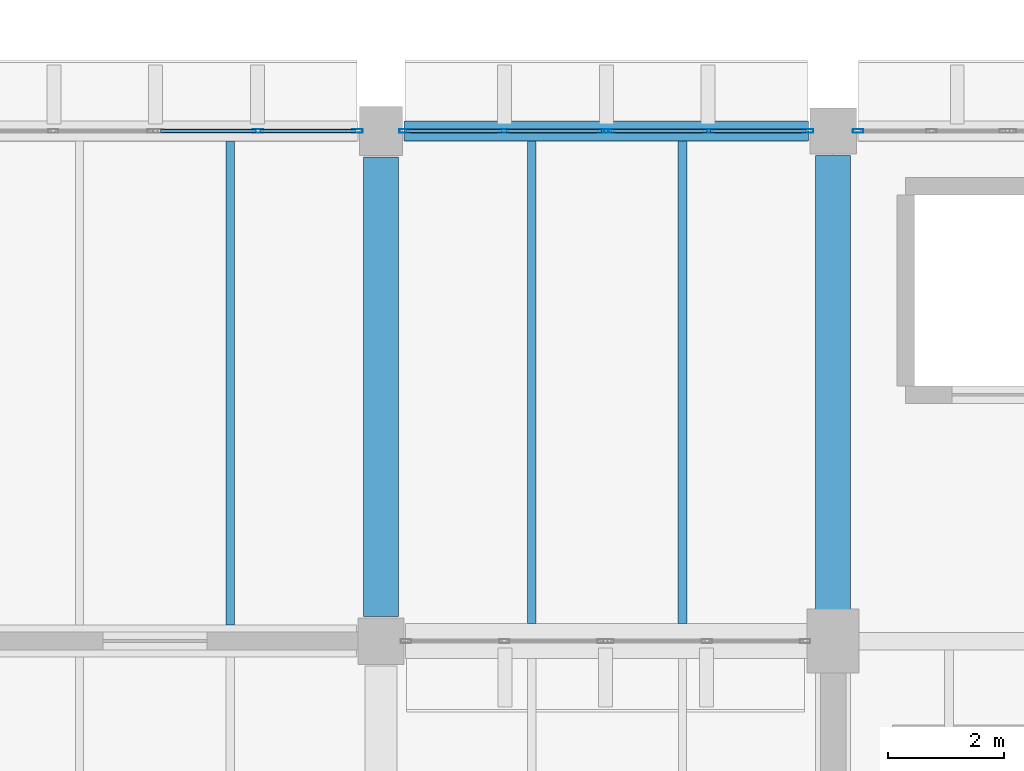
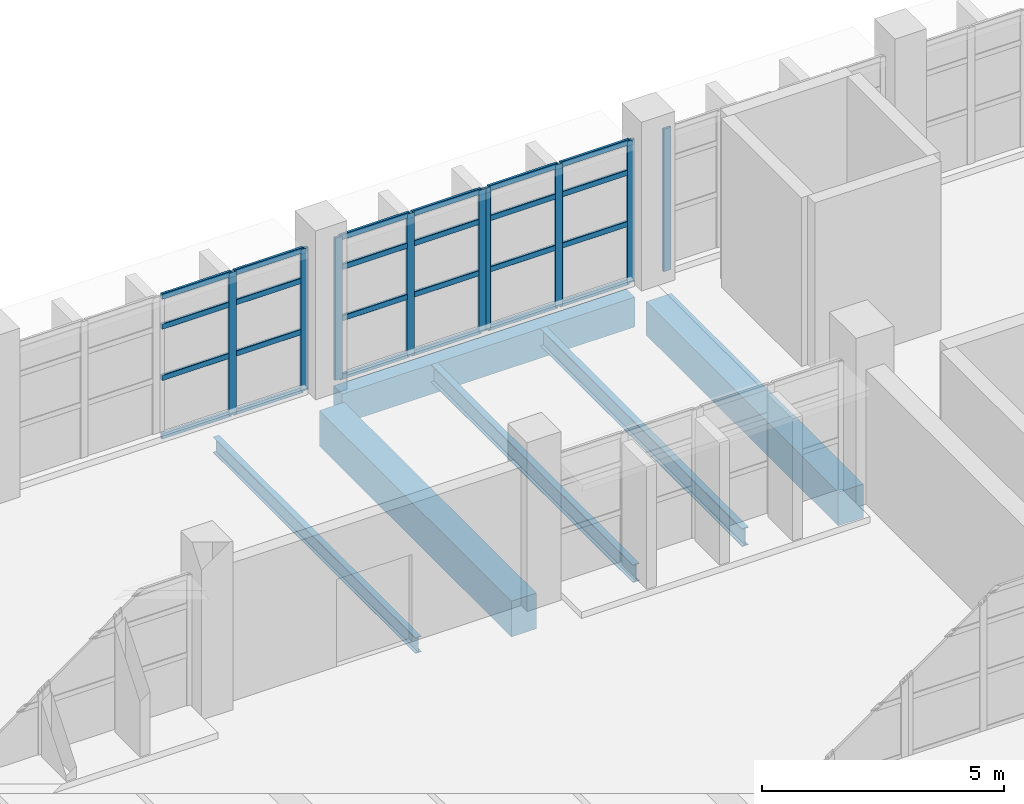
# One storey, part 29 of 76: 33 members, 6 beams, 4 elements without a shape of their own.
"""IFC4 building model written with IfcOpenShell, lengths in metres."""

from ifc_helpers import new_model, si_unit, direction, frame, origin, origin_2d, place, context, subcontext, project, spatial, rectangle, hollow_rectangle, i_section, extrude, material, material_profile, profile_set, type_object, element, aggregate, save


model = new_model("IFC4")

# Units and contexts
model_context = context("Model", 3, precision=1e-05, world=origin(), true_north=direction((0.0, 1.0)))
body_context = subcontext(model_context, "Body", "Model", "MODEL_VIEW")
ifc_project = project(units=[si_unit("LENGTHUNIT", "METRE"), si_unit("AREAUNIT", "SQUARE_METRE"), si_unit("VOLUMEUNIT", "CUBIC_METRE"), si_unit("PLANEANGLEUNIT", "RADIAN"), si_unit("MASSUNIT", "GRAM", prefix="KILO")], contexts=[model_context])

# Site, building, storey
site_placement = place(None, origin())
site = spatial("IfcSite", under=ifc_project, at=site_placement, CompositionType="ELEMENT")
building_placement = place(site_placement, origin())
building = spatial("IfcBuilding", under=site, at=building_placement, Name="Varnakota Cinema and Media Centre", CompositionType="ELEMENT")
storey_placement = place(building_placement, origin())
storey = spatial("IfcBuildingStorey", under=building, at=storey_placement, Name="L00", CompositionType="ELEMENT", Elevation=0.0)

# Beams
ifc_material_1 = material(Name="Concrete M35", Category="concrete")
ifc_material_profile_1 = material_profile(ifc_material_1, rectangle(XDim=0.60009765625, YDim=0.85009765625, at=origin_2d()), Name="RCB 600x850")
ifc_profile_set_1 = profile_set([ifc_material_profile_1], Name="Concrete M35")
beam_type_1 = type_object("IfcBeamType", Name="BM-RC-600x850", PredefinedType="BEAM", material=ifc_profile_set_1)
beam_1_placement = place(storey_placement, frame((75.0, 35.64990234375, -0.705078125), z_axis=(0.0, 1.0, 0.0), x_axis=(-1.0, 0.0, 0.0)))
element("IfcBeam", 1, at=beam_1_placement, inside=storey, type_object=beam_type_1, Name="L00 girder K/5-6", PredefinedType="BEAM", context=body_context, shape_type="SweptSolid", body=[
    extrude(rectangle(XDim=0.60009765625, YDim=0.85009765625, at=origin_2d()), origin(), (0.0, 0.0, 1.0), 7.925048828125),
])
ifc_material_2 = material(Name="Concrete M40", Category="concrete")
ifc_material_profile_2 = material_profile(ifc_material_2, rectangle(XDim=0.60009765625, YDim=0.89990234375, at=origin_2d()), Name="RCB 600x900")
ifc_profile_set_2 = profile_set([ifc_material_profile_2], Name="Concrete M40")
beam_type_2 = type_object("IfcBeamType", Name="BM-RC-600x900", PredefinedType="BEAM", material=ifc_profile_set_2)
beam_2_placement = place(storey_placement, frame((67.199951171875, 35.625, -0.72998046875), z_axis=(0.0, 1.0, 0.0), x_axis=(-1.0, 0.0, 0.0)))
element("IfcBeam", 2, at=beam_2_placement, inside=storey, type_object=beam_type_2, Name="L00 girder J/5-6", PredefinedType="BEAM", context=body_context, shape_type="SweptSolid", body=[
    extrude(rectangle(XDim=0.60009765625, YDim=0.89990234375, at=origin_2d()), origin(), (0.0, 0.0, 1.0), 7.925048828125),
])
ifc_material_3 = material(Name="Concrete M40", Category="concrete")
ifc_material_profile_3 = material_profile(ifc_material_3, rectangle(XDim=0.35009765625, YDim=0.75, at=origin_2d()), Name="RCB 350x750")
ifc_profile_set_3 = profile_set([ifc_material_profile_3], Name="Concrete M40")
beam_type_3 = type_object("IfcBeamType", Name="BM-SP-350x750", PredefinedType="SPANDREL", material=ifc_profile_set_3)
beam_3_placement = place(storey_placement, frame((67.60009765625, 44.0, -0.655029296875), z_axis=(1.0, 0.0, 0.0), x_axis=(0.0, 1.0, 0.0)))
element("IfcBeam", 3, at=beam_3_placement, inside=storey, type_object=beam_type_3, Name="L00 girder J-K/6", PredefinedType="SPANDREL", context=body_context, shape_type="SweptSolid", body=[
    extrude(rectangle(XDim=0.35009765625, YDim=0.75, at=origin_2d()), origin(), (0.0, 0.0, 1.0), 6.974853515625),
])
ifc_material_4 = material(Name="Structural steel Grade 350 (E350)", Category="steel")
ifc_material_profile_4 = material_profile(ifc_material_4, i_section(OverallWidth=0.139892578125, OverallDepth=0.39990234375, WebThickness=0.0087890625, FlangeThickness=0.01611328125, FilletRadius=0.013916015625, at=origin_2d()), Name="ISMB 400")
ifc_profile_set_4 = profile_set([ifc_material_profile_4], Name="Structural steel Grade 350 (E350)")
beam_type_4 = type_object("IfcBeamType", Name="BM-ST-ISMB400", PredefinedType="JOIST", material=ifc_profile_set_4)
beam_4_placement = place(storey_placement, frame((64.60009765625, 35.47509765625, -0.47998046875), z_axis=(0.0, 1.0, 0.0), x_axis=(-1.0, 0.0, 0.0)))
element("IfcBeam", 4, at=beam_4_placement, inside=storey, type_object=beam_type_4, Name="L00 steel joist H-J/5-6 #2", PredefinedType="JOIST", context=body_context, shape_type="SweptSolid", body=[
    extrude(i_section(OverallWidth=0.139892578125, OverallDepth=0.39990234375, WebThickness=0.0087890625, FlangeThickness=0.01611328125, FilletRadius=0.013916015625, at=origin_2d()), origin(), (0.0, 0.0, 1.0), 8.349853515625),
])
ifc_material_5 = material(Name="Structural steel Grade 350 (E350)", Category="steel")
ifc_material_profile_5 = material_profile(ifc_material_5, i_section(OverallWidth=0.14990234375, OverallDepth=0.449951171875, WebThickness=0.009521484375, FlangeThickness=0.017333984375, FilletRadius=0.014892578125, at=origin_2d()), Name="ISMB 450")
ifc_profile_set_5 = profile_set([ifc_material_profile_5], Name="Structural steel Grade 350 (E350)")
beam_type_5 = type_object("IfcBeamType", Name="BM-ST-ISMB450", PredefinedType="BEAM", material=ifc_profile_set_5)
for number, where, z_axis, x_axis, name in (
    (5, (69.800048828125, 35.5, -0.5048828125), (0.0, 1.0, 0.0), (-1.0, 0.0, 0.0), "L00 steel joist J-K/5-6 #1"),
    (6, (72.39990234375, 35.5, -0.5048828125), (0.0, 1.0, 0.0), (-1.0, 0.0, 0.0), "L00 steel joist J-K/5-6 #2"),
):
    element("IfcBeam", number, at=place(storey_placement, frame(where, z_axis=z_axis, x_axis=x_axis)), inside=storey, type_object=beam_type_5, Name=name, PredefinedType="BEAM", context=body_context, shape_type="SweptSolid", body=[
        extrude(i_section(OverallWidth=0.14990234375, OverallDepth=0.449951171875, WebThickness=0.009521484375, FlangeThickness=0.017333984375, FilletRadius=0.014892578125, at=origin_2d()), origin(), (0.0, 0.0, 1.0), 8.324951171875),
    ])

# Curtain wall, member
ifc_material_6 = material(Name="Thermally broken anodised aluminium AW-6063", Category="aluminium")
curtain_wall_type_1 = type_object("IfcCurtainWallType", Name="CW-STD-259x358", PredefinedType="USERDEFINED", material=ifc_material_6)
curtain_wall_1_placement = place(storey_placement, origin())
curtain_wall_1 = element("IfcCurtainWall", 7, at=curtain_wall_1_placement, inside=storey, type_object=curtain_wall_type_1, Name="L00 curtain wall CW-L00-V1-N-01-1", ObjectType="UNITISED CURTAIN WALL", PredefinedType="USERDEFINED")
ifc_material_7 = material(Name="Thermally broken anodised aluminium AW-6063", Category="aluminium")
ifc_material_profile_6 = material_profile(ifc_material_7, hollow_rectangle(XDim=0.06494140625, YDim=0.179931640625, WallThickness=0.00390625, InnerFilletRadius=0.00390625, OuterFilletRadius=0.008056640625, at=origin_2d()), Name="AL-MULLION 180x65x4")
ifc_profile_set_6 = profile_set([ifc_material_profile_6], Name="Thermally broken anodised aluminium AW-6063")
member_type_1 = type_object("IfcMemberType", Name="CWM-AL-180", PredefinedType="MULLION", material=ifc_profile_set_6)
member_1_placement = place(storey_placement, frame((75.4326171875, 44.0, 0.0), z_axis=(0.0, 0.0, 1.0), x_axis=(0.0, 1.0, 0.0)))
member_1 = element("IfcMember", 8, at=member_1_placement, type_object=member_type_1, Name="CW06 mullion 1", PredefinedType="MULLION", context=body_context, shape_type="SweptSolid", body=[
    extrude(hollow_rectangle(XDim=0.06494140625, YDim=0.179931640625, WallThickness=0.00390625, InnerFilletRadius=0.00390625, OuterFilletRadius=0.008056640625, at=origin_2d()), origin(), (0.0, 0.0, 1.0), 3.5849609375),
])
aggregate(curtain_wall_1, [member_1])

# Curtain wall, members
ifc_material_8 = material(Name="Thermally broken anodised aluminium AW-6063", Category="aluminium")
curtain_wall_type_2 = type_object("IfcCurtainWallType", Name="CW-STD-349x358", PredefinedType="USERDEFINED", material=ifc_material_8)
curtain_wall_2_placement = place(storey_placement, origin())
curtain_wall_2 = element("IfcCurtainWall", 9, at=curtain_wall_2_placement, inside=storey, type_object=curtain_wall_type_2, Name="L00 curtain wall CW-L00-LINK-N-03-2", ObjectType="UNITISED CURTAIN WALL", PredefinedType="USERDEFINED")
member_2_placement = place(storey_placement, frame((65.078857421875, 44.0, 0.0), z_axis=(0.0, 0.0, 1.0), x_axis=(0.0, 1.0, 0.0)))
member_2 = element("IfcMember", 10, at=member_2_placement, type_object=member_type_1, Name="CW08 mullion 2", PredefinedType="MULLION", context=body_context, shape_type="SweptSolid", body=[
    extrude(hollow_rectangle(XDim=0.06494140625, YDim=0.179931640625, WallThickness=0.00390625, InnerFilletRadius=0.00390625, OuterFilletRadius=0.008056640625, at=origin_2d()), origin(), (0.0, 0.0, 1.0), 3.5849609375),
])
member_3_placement = place(storey_placement, frame((66.79248046875, 44.0, 0.0), z_axis=(0.0, 0.0, 1.0), x_axis=(0.0, 1.0, 0.0)))
member_3 = element("IfcMember", 11, at=member_3_placement, type_object=member_type_1, Name="CW08 mullion 3", PredefinedType="MULLION", context=body_context, shape_type="SweptSolid", body=[
    extrude(hollow_rectangle(XDim=0.06494140625, YDim=0.179931640625, WallThickness=0.00390625, InnerFilletRadius=0.00390625, OuterFilletRadius=0.008056640625, at=origin_2d()), origin(), (0.0, 0.0, 1.0), 3.5849609375),
])

curtain_wall_3_placement = place(storey_placement, origin())
curtain_wall_3 = element("IfcCurtainWall", 12, at=curtain_wall_3_placement, inside=storey, type_object=curtain_wall_type_2, Name="L00 curtain wall CW-L00-LINK-N-04-1", ObjectType="UNITISED CURTAIN WALL", PredefinedType="USERDEFINED")
member_4_placement = place(storey_placement, frame((67.607421875, 44.0, 0.0), z_axis=(0.0, 0.0, 1.0), x_axis=(0.0, 1.0, 0.0)))
member_4 = element("IfcMember", 13, at=member_4_placement, type_object=member_type_1, Name="CW08 mullion 1", PredefinedType="MULLION", context=body_context, shape_type="SweptSolid", body=[
    extrude(hollow_rectangle(XDim=0.06494140625, YDim=0.179931640625, WallThickness=0.00390625, InnerFilletRadius=0.00390625, OuterFilletRadius=0.008056640625, at=origin_2d()), origin(), (0.0, 0.0, 1.0), 3.5849609375),
])
member_5_placement = place(storey_placement, frame((69.3212890625, 44.0, 0.0), z_axis=(0.0, 0.0, 1.0), x_axis=(0.0, 1.0, 0.0)))
member_5 = element("IfcMember", 14, at=member_5_placement, type_object=member_type_1, Name="CW08 mullion 2", PredefinedType="MULLION", context=body_context, shape_type="SweptSolid", body=[
    extrude(hollow_rectangle(XDim=0.06494140625, YDim=0.179931640625, WallThickness=0.00390625, InnerFilletRadius=0.00390625, OuterFilletRadius=0.008056640625, at=origin_2d()), origin(), (0.0, 0.0, 1.0), 3.5849609375),
])
member_6_placement = place(storey_placement, frame((71.034912109375, 44.0, 0.0), z_axis=(0.0, 0.0, 1.0), x_axis=(0.0, 1.0, 0.0)))
member_6 = element("IfcMember", 15, at=member_6_placement, type_object=member_type_1, Name="CW08 mullion 3", PredefinedType="MULLION", context=body_context, shape_type="SweptSolid", body=[
    extrude(hollow_rectangle(XDim=0.06494140625, YDim=0.179931640625, WallThickness=0.00390625, InnerFilletRadius=0.00390625, OuterFilletRadius=0.008056640625, at=origin_2d()), origin(), (0.0, 0.0, 1.0), 3.5849609375),
])

curtain_wall_4_placement = place(storey_placement, origin())
curtain_wall_4 = element("IfcCurtainWall", 16, at=curtain_wall_4_placement, inside=storey, type_object=curtain_wall_type_2, Name="L00 curtain wall CW-L00-LINK-N-04-2", ObjectType="UNITISED CURTAIN WALL", PredefinedType="USERDEFINED")
member_7_placement = place(storey_placement, frame((71.139892578125, 44.0, 0.0), z_axis=(0.0, 0.0, 1.0), x_axis=(0.0, 1.0, 0.0)))
member_7 = element("IfcMember", 17, at=member_7_placement, type_object=member_type_1, Name="CW08 mullion 1", PredefinedType="MULLION", context=body_context, shape_type="SweptSolid", body=[
    extrude(hollow_rectangle(XDim=0.06494140625, YDim=0.179931640625, WallThickness=0.00390625, InnerFilletRadius=0.00390625, OuterFilletRadius=0.008056640625, at=origin_2d()), origin(), (0.0, 0.0, 1.0), 3.5849609375),
])
member_8_placement = place(storey_placement, frame((72.853759765625, 44.0, 0.0), z_axis=(0.0, 0.0, 1.0), x_axis=(0.0, 1.0, 0.0)))
member_8 = element("IfcMember", 18, at=member_8_placement, type_object=member_type_1, Name="CW08 mullion 2", PredefinedType="MULLION", context=body_context, shape_type="SweptSolid", body=[
    extrude(hollow_rectangle(XDim=0.06494140625, YDim=0.179931640625, WallThickness=0.00390625, InnerFilletRadius=0.00390625, OuterFilletRadius=0.008056640625, at=origin_2d()), origin(), (0.0, 0.0, 1.0), 3.5849609375),
])
member_9_placement = place(storey_placement, frame((74.5673828125, 44.0, 0.0), z_axis=(0.0, 0.0, 1.0), x_axis=(0.0, 1.0, 0.0)))
member_9 = element("IfcMember", 19, at=member_9_placement, type_object=member_type_1, Name="CW08 mullion 3", PredefinedType="MULLION", context=body_context, shape_type="SweptSolid", body=[
    extrude(hollow_rectangle(XDim=0.06494140625, YDim=0.179931640625, WallThickness=0.00390625, InnerFilletRadius=0.00390625, OuterFilletRadius=0.008056640625, at=origin_2d()), origin(), (0.0, 0.0, 1.0), 3.5849609375),
])

# Member
ifc_material_9 = material(Name="Thermally broken anodised aluminium AW-6063", Category="aluminium")
ifc_material_profile_7 = material_profile(ifc_material_9, hollow_rectangle(XDim=0.06494140625, YDim=0.139892578125, WallThickness=0.00390625, InnerFilletRadius=0.00390625, OuterFilletRadius=0.008056640625, at=origin_2d()), Name="AL-TRANSOM 140x65x4")
ifc_profile_set_7 = profile_set([ifc_material_profile_7], Name="Thermally broken anodised aluminium AW-6063")
member_type_2 = type_object("IfcMemberType", Name="CWT-AL-140", PredefinedType="USERDEFINED", material=ifc_profile_set_7)
member_10_placement = place(storey_placement, frame((63.3974609375, 44.0, 0.032470703125), z_axis=(1.0, 0.0, 0.0), x_axis=(0.0, 1.0, 0.0)))
member_10 = element("IfcMember", 20, at=member_10_placement, type_object=member_type_2, Name="CW08 transom 1.1", ObjectType="TRANSOM", PredefinedType="USERDEFINED", context=body_context, shape_type="SweptSolid", body=[
    extrude(hollow_rectangle(XDim=0.06494140625, YDim=0.139892578125, WallThickness=0.00390625, InnerFilletRadius=0.00390625, OuterFilletRadius=0.008056640625, at=origin_2d()), origin(), (0.0, 0.0, 1.0), 1.648681640625),
])

member_11_placement = place(storey_placement, frame((63.3974609375, 44.0, 1.505615234375), z_axis=(1.0, 0.0, 0.0), x_axis=(0.0, 1.0, 0.0)))
member_11 = element("IfcMember", 21, at=member_11_placement, type_object=member_type_2, Name="CW08 transom 1.2", ObjectType="TRANSOM", PredefinedType="USERDEFINED", context=body_context, shape_type="SweptSolid", body=[
    extrude(hollow_rectangle(XDim=0.06494140625, YDim=0.139892578125, WallThickness=0.00390625, InnerFilletRadius=0.00390625, OuterFilletRadius=0.008056640625, at=origin_2d()), origin(), (0.0, 0.0, 1.0), 1.648681640625),
])

member_12_placement = place(storey_placement, frame((63.3974609375, 44.0, 2.79638671875), z_axis=(1.0, 0.0, 0.0), x_axis=(0.0, 1.0, 0.0)))
member_12 = element("IfcMember", 22, at=member_12_placement, type_object=member_type_2, Name="CW08 transom 1.3", ObjectType="TRANSOM", PredefinedType="USERDEFINED", context=body_context, shape_type="SweptSolid", body=[
    extrude(hollow_rectangle(XDim=0.06494140625, YDim=0.139892578125, WallThickness=0.00390625, InnerFilletRadius=0.00390625, OuterFilletRadius=0.008056640625, at=origin_2d()), origin(), (0.0, 0.0, 1.0), 1.648681640625),
])

member_13_placement = place(storey_placement, frame((63.3974609375, 44.0, 3.552490234375), z_axis=(1.0, 0.0, 0.0), x_axis=(0.0, 1.0, 0.0)))
member_13 = element("IfcMember", 23, at=member_13_placement, type_object=member_type_2, Name="CW08 transom 1.4", ObjectType="TRANSOM", PredefinedType="USERDEFINED", context=body_context, shape_type="SweptSolid", body=[
    extrude(hollow_rectangle(XDim=0.06494140625, YDim=0.139892578125, WallThickness=0.00390625, InnerFilletRadius=0.00390625, OuterFilletRadius=0.008056640625, at=origin_2d()), origin(), (0.0, 0.0, 1.0), 1.648681640625),
])

member_14_placement = place(storey_placement, frame((65.111328125, 44.0, 0.032470703125), z_axis=(1.0, 0.0, 0.0), x_axis=(0.0, 1.0, 0.0)))
member_14 = element("IfcMember", 24, at=member_14_placement, type_object=member_type_2, Name="CW08 transom 2.1", ObjectType="TRANSOM", PredefinedType="USERDEFINED", context=body_context, shape_type="SweptSolid", body=[
    extrude(hollow_rectangle(XDim=0.06494140625, YDim=0.139892578125, WallThickness=0.00390625, InnerFilletRadius=0.00390625, OuterFilletRadius=0.008056640625, at=origin_2d()), origin(), (0.0, 0.0, 1.0), 1.648681640625),
])

member_15_placement = place(storey_placement, frame((65.111328125, 44.0, 1.505615234375), z_axis=(1.0, 0.0, 0.0), x_axis=(0.0, 1.0, 0.0)))
member_15 = element("IfcMember", 25, at=member_15_placement, type_object=member_type_2, Name="CW08 transom 2.2", ObjectType="TRANSOM", PredefinedType="USERDEFINED", context=body_context, shape_type="SweptSolid", body=[
    extrude(hollow_rectangle(XDim=0.06494140625, YDim=0.139892578125, WallThickness=0.00390625, InnerFilletRadius=0.00390625, OuterFilletRadius=0.008056640625, at=origin_2d()), origin(), (0.0, 0.0, 1.0), 1.648681640625),
])

member_16_placement = place(storey_placement, frame((65.111328125, 44.0, 2.79638671875), z_axis=(1.0, 0.0, 0.0), x_axis=(0.0, 1.0, 0.0)))
member_16 = element("IfcMember", 26, at=member_16_placement, type_object=member_type_2, Name="CW08 transom 2.3", ObjectType="TRANSOM", PredefinedType="USERDEFINED", context=body_context, shape_type="SweptSolid", body=[
    extrude(hollow_rectangle(XDim=0.06494140625, YDim=0.139892578125, WallThickness=0.00390625, InnerFilletRadius=0.00390625, OuterFilletRadius=0.008056640625, at=origin_2d()), origin(), (0.0, 0.0, 1.0), 1.648681640625),
])

member_17_placement = place(storey_placement, frame((65.111328125, 44.0, 3.552490234375), z_axis=(1.0, 0.0, 0.0), x_axis=(0.0, 1.0, 0.0)))
member_17 = element("IfcMember", 27, at=member_17_placement, type_object=member_type_2, Name="CW08 transom 2.4", ObjectType="TRANSOM", PredefinedType="USERDEFINED", context=body_context, shape_type="SweptSolid", body=[
    extrude(hollow_rectangle(XDim=0.06494140625, YDim=0.139892578125, WallThickness=0.00390625, InnerFilletRadius=0.00390625, OuterFilletRadius=0.008056640625, at=origin_2d()), origin(), (0.0, 0.0, 1.0), 1.648681640625),
])

aggregate(curtain_wall_2, [member_2, member_3, member_10, member_11, member_12, member_13, member_14, member_15, member_16, member_17])

member_18_placement = place(storey_placement, frame((67.639892578125, 44.0, 0.032470703125), z_axis=(1.0, 0.0, 0.0), x_axis=(0.0, 1.0, 0.0)))
member_18 = element("IfcMember", 28, at=member_18_placement, type_object=member_type_2, Name="CW08 transom 1.1", ObjectType="TRANSOM", PredefinedType="USERDEFINED", context=body_context, shape_type="SweptSolid", body=[
    extrude(hollow_rectangle(XDim=0.06494140625, YDim=0.139892578125, WallThickness=0.00390625, InnerFilletRadius=0.00390625, OuterFilletRadius=0.008056640625, at=origin_2d()), origin(), (0.0, 0.0, 1.0), 1.64892578125),
])

member_19_placement = place(storey_placement, frame((67.639892578125, 44.0, 1.505615234375), z_axis=(1.0, 0.0, 0.0), x_axis=(0.0, 1.0, 0.0)))
member_19 = element("IfcMember", 29, at=member_19_placement, type_object=member_type_2, Name="CW08 transom 1.2", ObjectType="TRANSOM", PredefinedType="USERDEFINED", context=body_context, shape_type="SweptSolid", body=[
    extrude(hollow_rectangle(XDim=0.06494140625, YDim=0.139892578125, WallThickness=0.00390625, InnerFilletRadius=0.00390625, OuterFilletRadius=0.008056640625, at=origin_2d()), origin(), (0.0, 0.0, 1.0), 1.64892578125),
])

member_20_placement = place(storey_placement, frame((67.639892578125, 44.0, 2.79638671875), z_axis=(1.0, 0.0, 0.0), x_axis=(0.0, 1.0, 0.0)))
member_20 = element("IfcMember", 30, at=member_20_placement, type_object=member_type_2, Name="CW08 transom 1.3", ObjectType="TRANSOM", PredefinedType="USERDEFINED", context=body_context, shape_type="SweptSolid", body=[
    extrude(hollow_rectangle(XDim=0.06494140625, YDim=0.139892578125, WallThickness=0.00390625, InnerFilletRadius=0.00390625, OuterFilletRadius=0.008056640625, at=origin_2d()), origin(), (0.0, 0.0, 1.0), 1.64892578125),
])

member_21_placement = place(storey_placement, frame((67.639892578125, 44.0, 3.552490234375), z_axis=(1.0, 0.0, 0.0), x_axis=(0.0, 1.0, 0.0)))
member_21 = element("IfcMember", 31, at=member_21_placement, type_object=member_type_2, Name="CW08 transom 1.4", ObjectType="TRANSOM", PredefinedType="USERDEFINED", context=body_context, shape_type="SweptSolid", body=[
    extrude(hollow_rectangle(XDim=0.06494140625, YDim=0.139892578125, WallThickness=0.00390625, InnerFilletRadius=0.00390625, OuterFilletRadius=0.008056640625, at=origin_2d()), origin(), (0.0, 0.0, 1.0), 1.64892578125),
])

member_22_placement = place(storey_placement, frame((69.353759765625, 44.0, 0.032470703125), z_axis=(1.0, 0.0, 0.0), x_axis=(0.0, 1.0, 0.0)))
member_22 = element("IfcMember", 32, at=member_22_placement, type_object=member_type_2, Name="CW08 transom 2.1", ObjectType="TRANSOM", PredefinedType="USERDEFINED", context=body_context, shape_type="SweptSolid", body=[
    extrude(hollow_rectangle(XDim=0.06494140625, YDim=0.139892578125, WallThickness=0.00390625, InnerFilletRadius=0.00390625, OuterFilletRadius=0.008056640625, at=origin_2d()), origin(), (0.0, 0.0, 1.0), 1.648681640625),
])

member_23_placement = place(storey_placement, frame((69.353759765625, 44.0, 1.505615234375), z_axis=(1.0, 0.0, 0.0), x_axis=(0.0, 1.0, 0.0)))
member_23 = element("IfcMember", 33, at=member_23_placement, type_object=member_type_2, Name="CW08 transom 2.2", ObjectType="TRANSOM", PredefinedType="USERDEFINED", context=body_context, shape_type="SweptSolid", body=[
    extrude(hollow_rectangle(XDim=0.06494140625, YDim=0.139892578125, WallThickness=0.00390625, InnerFilletRadius=0.00390625, OuterFilletRadius=0.008056640625, at=origin_2d()), origin(), (0.0, 0.0, 1.0), 1.648681640625),
])

member_24_placement = place(storey_placement, frame((69.353759765625, 44.0, 2.79638671875), z_axis=(1.0, 0.0, 0.0), x_axis=(0.0, 1.0, 0.0)))
member_24 = element("IfcMember", 34, at=member_24_placement, type_object=member_type_2, Name="CW08 transom 2.3", ObjectType="TRANSOM", PredefinedType="USERDEFINED", context=body_context, shape_type="SweptSolid", body=[
    extrude(hollow_rectangle(XDim=0.06494140625, YDim=0.139892578125, WallThickness=0.00390625, InnerFilletRadius=0.00390625, OuterFilletRadius=0.008056640625, at=origin_2d()), origin(), (0.0, 0.0, 1.0), 1.648681640625),
])

member_25_placement = place(storey_placement, frame((69.353759765625, 44.0, 3.552490234375), z_axis=(1.0, 0.0, 0.0), x_axis=(0.0, 1.0, 0.0)))
member_25 = element("IfcMember", 35, at=member_25_placement, type_object=member_type_2, Name="CW08 transom 2.4", ObjectType="TRANSOM", PredefinedType="USERDEFINED", context=body_context, shape_type="SweptSolid", body=[
    extrude(hollow_rectangle(XDim=0.06494140625, YDim=0.139892578125, WallThickness=0.00390625, InnerFilletRadius=0.00390625, OuterFilletRadius=0.008056640625, at=origin_2d()), origin(), (0.0, 0.0, 1.0), 1.648681640625),
])

aggregate(curtain_wall_3, [member_4, member_5, member_6, member_18, member_19, member_20, member_21, member_22, member_23, member_24, member_25])

member_26_placement = place(storey_placement, frame((71.172607421875, 44.0, 0.032470703125), z_axis=(1.0, 0.0, 0.0), x_axis=(0.0, 1.0, 0.0)))
member_26 = element("IfcMember", 36, at=member_26_placement, type_object=member_type_2, Name="CW08 transom 1.1", ObjectType="TRANSOM", PredefinedType="USERDEFINED", context=body_context, shape_type="SweptSolid", body=[
    extrude(hollow_rectangle(XDim=0.06494140625, YDim=0.139892578125, WallThickness=0.00390625, InnerFilletRadius=0.00390625, OuterFilletRadius=0.008056640625, at=origin_2d()), origin(), (0.0, 0.0, 1.0), 1.648681640625),
])

member_27_placement = place(storey_placement, frame((71.172607421875, 44.0, 1.505615234375), z_axis=(1.0, 0.0, 0.0), x_axis=(0.0, 1.0, 0.0)))
member_27 = element("IfcMember", 37, at=member_27_placement, type_object=member_type_2, Name="CW08 transom 1.2", ObjectType="TRANSOM", PredefinedType="USERDEFINED", context=body_context, shape_type="SweptSolid", body=[
    extrude(hollow_rectangle(XDim=0.06494140625, YDim=0.139892578125, WallThickness=0.00390625, InnerFilletRadius=0.00390625, OuterFilletRadius=0.008056640625, at=origin_2d()), origin(), (0.0, 0.0, 1.0), 1.648681640625),
])

member_28_placement = place(storey_placement, frame((71.172607421875, 44.0, 2.79638671875), z_axis=(1.0, 0.0, 0.0), x_axis=(0.0, 1.0, 0.0)))
member_28 = element("IfcMember", 38, at=member_28_placement, type_object=member_type_2, Name="CW08 transom 1.3", ObjectType="TRANSOM", PredefinedType="USERDEFINED", context=body_context, shape_type="SweptSolid", body=[
    extrude(hollow_rectangle(XDim=0.06494140625, YDim=0.139892578125, WallThickness=0.00390625, InnerFilletRadius=0.00390625, OuterFilletRadius=0.008056640625, at=origin_2d()), origin(), (0.0, 0.0, 1.0), 1.648681640625),
])

member_29_placement = place(storey_placement, frame((71.172607421875, 44.0, 3.552490234375), z_axis=(1.0, 0.0, 0.0), x_axis=(0.0, 1.0, 0.0)))
member_29 = element("IfcMember", 39, at=member_29_placement, type_object=member_type_2, Name="CW08 transom 1.4", ObjectType="TRANSOM", PredefinedType="USERDEFINED", context=body_context, shape_type="SweptSolid", body=[
    extrude(hollow_rectangle(XDim=0.06494140625, YDim=0.139892578125, WallThickness=0.00390625, InnerFilletRadius=0.00390625, OuterFilletRadius=0.008056640625, at=origin_2d()), origin(), (0.0, 0.0, 1.0), 1.648681640625),
])

member_30_placement = place(storey_placement, frame((72.88623046875, 44.0, 0.032470703125), z_axis=(1.0, 0.0, 0.0), x_axis=(0.0, 1.0, 0.0)))
member_30 = element("IfcMember", 40, at=member_30_placement, type_object=member_type_2, Name="CW08 transom 2.1", ObjectType="TRANSOM", PredefinedType="USERDEFINED", context=body_context, shape_type="SweptSolid", body=[
    extrude(hollow_rectangle(XDim=0.06494140625, YDim=0.139892578125, WallThickness=0.00390625, InnerFilletRadius=0.00390625, OuterFilletRadius=0.008056640625, at=origin_2d()), origin(), (0.0, 0.0, 1.0), 1.648681640625),
])

member_31_placement = place(storey_placement, frame((72.88623046875, 44.0, 1.505615234375), z_axis=(1.0, 0.0, 0.0), x_axis=(0.0, 1.0, 0.0)))
member_31 = element("IfcMember", 41, at=member_31_placement, type_object=member_type_2, Name="CW08 transom 2.2", ObjectType="TRANSOM", PredefinedType="USERDEFINED", context=body_context, shape_type="SweptSolid", body=[
    extrude(hollow_rectangle(XDim=0.06494140625, YDim=0.139892578125, WallThickness=0.00390625, InnerFilletRadius=0.00390625, OuterFilletRadius=0.008056640625, at=origin_2d()), origin(), (0.0, 0.0, 1.0), 1.648681640625),
])

member_32_placement = place(storey_placement, frame((72.88623046875, 44.0, 2.79638671875), z_axis=(1.0, 0.0, 0.0), x_axis=(0.0, 1.0, 0.0)))
member_32 = element("IfcMember", 42, at=member_32_placement, type_object=member_type_2, Name="CW08 transom 2.3", ObjectType="TRANSOM", PredefinedType="USERDEFINED", context=body_context, shape_type="SweptSolid", body=[
    extrude(hollow_rectangle(XDim=0.06494140625, YDim=0.139892578125, WallThickness=0.00390625, InnerFilletRadius=0.00390625, OuterFilletRadius=0.008056640625, at=origin_2d()), origin(), (0.0, 0.0, 1.0), 1.648681640625),
])

member_33_placement = place(storey_placement, frame((72.88623046875, 44.0, 3.552490234375), z_axis=(1.0, 0.0, 0.0), x_axis=(0.0, 1.0, 0.0)))
member_33 = element("IfcMember", 43, at=member_33_placement, type_object=member_type_2, Name="CW08 transom 2.4", ObjectType="TRANSOM", PredefinedType="USERDEFINED", context=body_context, shape_type="SweptSolid", body=[
    extrude(hollow_rectangle(XDim=0.06494140625, YDim=0.139892578125, WallThickness=0.00390625, InnerFilletRadius=0.00390625, OuterFilletRadius=0.008056640625, at=origin_2d()), origin(), (0.0, 0.0, 1.0), 1.648681640625),
])

aggregate(curtain_wall_4, [member_7, member_8, member_9, member_26, member_27, member_28, member_29, member_30, member_31, member_32, member_33])

save(model, "model.ifc")
